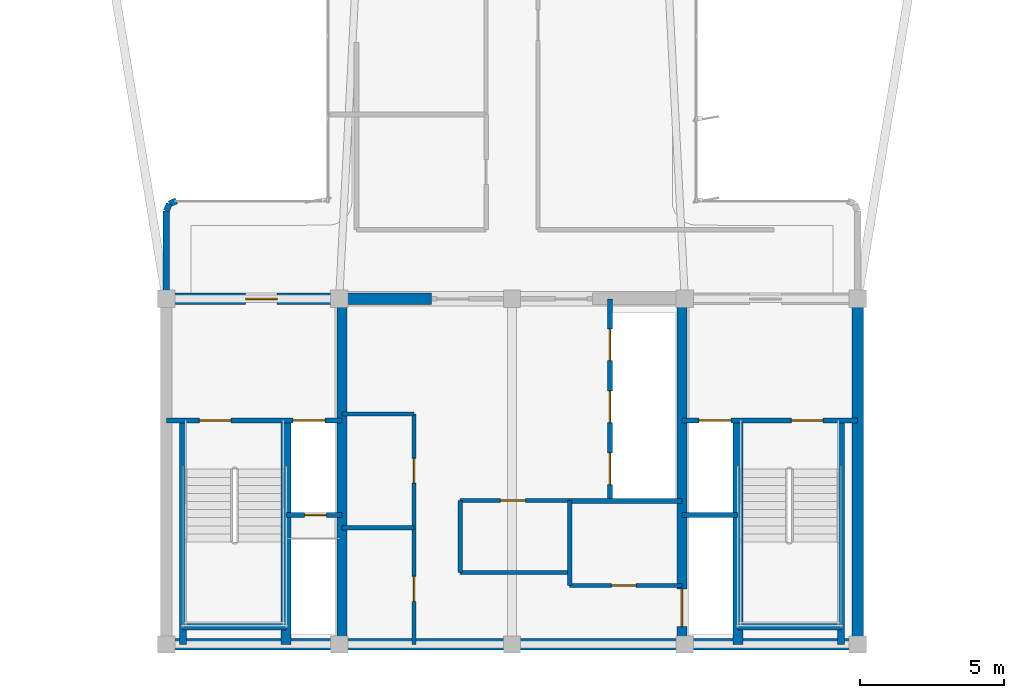
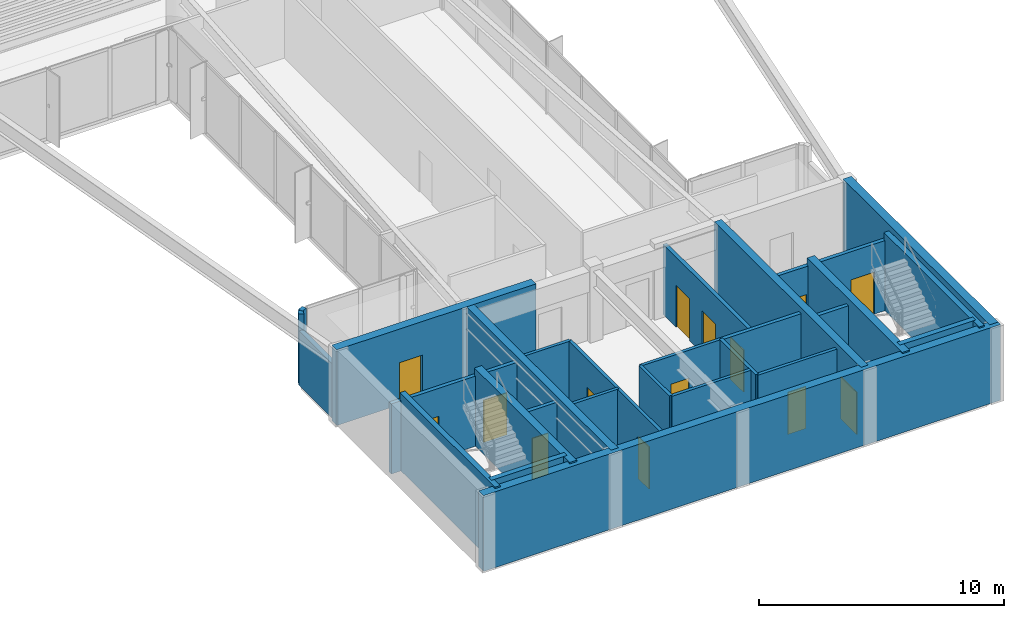
# One storey, part 10 of 15: 28 walls, 14 doors, 14 openings.
"""IFC4 building model written with IfcOpenShell, lengths in metres."""

from ifc_helpers import new_model, si_unit, direction, frame, frame_2d, origin, origin_2d, place, context, subcontext, project, spatial, rectangle, extrude, source, transform, mapped, material, layer, layer_set, type_object, element, fill, save


model = new_model("IFC4")

# Units and contexts
model_context = context("Model", 3, precision=1e-05, world=origin(), true_north=direction((0.0, 1.0)))
body_context = subcontext(model_context, "Body", "Model", "MODEL_VIEW")
ifc_project = project(units=[si_unit("LENGTHUNIT", "METRE"), si_unit("AREAUNIT", "SQUARE_METRE"), si_unit("VOLUMEUNIT", "CUBIC_METRE"), si_unit("PLANEANGLEUNIT", "RADIAN"), si_unit("MASSUNIT", "GRAM", prefix="KILO")], contexts=[model_context])

# Site, building, storey
site_placement = place(None, origin())
site = spatial("IfcSite", under=ifc_project, at=site_placement, CompositionType="ELEMENT")
building_placement = place(site_placement, origin())
building = spatial("IfcBuilding", under=site, at=building_placement, Name="Brelvock Crest Care Tower", CompositionType="ELEMENT")
storey_placement = place(building_placement, frame((0.0, 0.0, 279.719970703125)))
storey = spatial("IfcBuildingStorey", under=building, at=storey_placement, Name="L71", CompositionType="ELEMENT", Elevation=279.719970703125)

# Walls
ifc_material_1 = material(Name="Concrete S65 (65 MPa)", Category="concrete")
ifc_layer_1 = layer(ifc_material_1, 0.39990234375, Name="WL-CS4")
ifc_layer_set_1 = layer_set([ifc_layer_1], Name="Concrete S65 (65 MPa)")
wall_type_1 = type_object("IfcWallType", Name="WL-CS4", PredefinedType="SHEAR", material=ifc_layer_set_1)
wall_1_placement = place(storey_placement, frame((48.199951171875, 6.0, 0.0), z_axis=(0.0, 0.0, 1.0), x_axis=(-1.0, 0.0, 0.0)))
element("IfcWall", 1, at=wall_1_placement, inside=storey, type_object=wall_type_1, Name="L71 Core South Shear Wall", PredefinedType="SHEAR", context=body_context, shape_type="SweptSolid", body=[
    extrude(rectangle(XDim=24.39990234375, YDim=0.39990234375, at=frame_2d((12.199951171875, 0.0))), origin(), (0.0, 0.0, 1.0), 3.780029296875),
])
wall_2_placement = place(storey_placement, frame((48.0, 18.0, 0.0), z_axis=(0.0, 0.0, 1.0), x_axis=(0.0, -1.0, 0.0)))
element("IfcWall", 2, at=wall_2_placement, inside=storey, type_object=wall_type_1, Name="L71 Core East Shear Wall", PredefinedType="SHEAR", context=body_context, shape_type="SweptSolid", body=[
    extrude(rectangle(XDim=12.0, YDim=0.39990234375, at=frame_2d((6.0, 0.0))), origin(), (0.0, 0.0, 1.0), 3.780029296875),
])

# Wall, opening, door
wall_3_placement = place(storey_placement, frame((23.800048828125, 18.0, 0.0), z_axis=(0.0, 0.0, 1.0), x_axis=(1.0, 0.0, 0.0)))
wall_3 = element("IfcWall", 3, at=wall_3_placement, inside=storey, type_object=wall_type_1, Name="L71 Core North-West Shear Wall", PredefinedType="SHEAR", context=body_context, shape_type="SweptSolid", body=[
    extrude(rectangle(XDim=9.39990234375, YDim=0.39990234375, at=frame_2d((4.699951171875, 0.0))), origin(), (0.0, 0.0, 1.0), 3.780029296875),
])
opening_1_placement = place(wall_3_placement, frame((2.949951171875, 0.0, 0.0)))
opening_1 = element("IfcOpeningElement", 4, at=opening_1_placement, cuts=wall_3, Name="Opening FD-1", PredefinedType="OPENING", context=body_context, shape_type="SweptSolid", body=[
    extrude(rectangle(XDim=1.10009765625, YDim=2.10009765625, at=origin_2d()), frame((0.550048828125, 0.2099609375, 1.050048828125), z_axis=(0.0, -1.0, 0.0), x_axis=(1.0, 0.0, 0.0)), (0.0, 0.0, 1.0), 0.419921875),
])
ifc_material_2 = material(Name="Steel Grade 350", Category="steel")
door_type_1 = type_object("IfcDoorType", Name="DR-FFL1", OperationType="NOTDEFINED", PredefinedType="DOOR", material=ifc_material_2)
shared_shape_1 = source(origin(), body_context, "Body", "SweptSolid", [
    extrude(rectangle(XDim=1.10009765625, YDim=2.10009765625, at=origin_2d()), frame((0.550048828125, 0.02490234375, 1.050048828125), z_axis=(0.0, -1.0, 0.0), x_axis=(1.0, 0.0, 0.0)), (0.0, 0.0, 1.0), 0.050048828125),
])
door_1_placement = place(opening_1_placement, origin())
door_1 = element("IfcDoor", 5, at=door_1_placement, inside=storey, type_object=door_type_1, Name="L71 Firefighting Lobby FFL-1 Exit Door", OperationType="SINGLE_SWING_LEFT", OverallHeight=2.10009765625, OverallWidth=1.10009765625, PredefinedType="DOOR", context=body_context, shape_type="MappedRepresentation", body=[
    mapped(shared_shape_1, transform((0.0, 0.0, 0.0), x_axis=(1.0, 0.0, 0.0), y_axis=(0.0, 1.0, 0.0), z_axis=(0.0, 0.0, 1.0), scale=1.0)),
])
fill(opening_1, door_1)

# Wall
ifc_material_3 = material(Name="Concrete S80 (80 MPa)", Category="concrete")
ifc_layer_2 = layer(ifc_material_3, 0.35009765625, Name="WL-CS5")
ifc_layer_set_2 = layer_set([ifc_layer_2], Name="Concrete S80 (80 MPa)")
wall_type_2 = type_object("IfcWallType", Name="WL-CS5", PredefinedType="SHEAR", material=ifc_layer_set_2)
wall_4_placement = place(storey_placement, frame((30.10009765625, 6.0, 0.0), z_axis=(0.0, 0.0, 1.0), x_axis=(0.0, 1.0, 0.0)))
element("IfcWall", 6, at=wall_4_placement, inside=storey, type_object=wall_type_2, Name="L71 Core Internal Web Wall West", PredefinedType="SHEAR", context=body_context, shape_type="SweptSolid", body=[
    extrude(rectangle(XDim=12.0, YDim=0.35009765625, at=frame_2d((6.0, 0.0))), origin(), (0.0, 0.0, 1.0), 3.780029296875),
])

# Wall, opening, door
wall_5_placement = place(storey_placement, frame((41.89990234375, 18.0, 0.0), z_axis=(0.0, 0.0, 1.0), x_axis=(0.0, -1.0, 0.0)))
wall_5 = element("IfcWall", 7, at=wall_5_placement, inside=storey, type_object=wall_type_2, Name="L71 Core Internal Web Wall East", PredefinedType="SHEAR", context=body_context, shape_type="SweptSolid", body=[
    extrude(rectangle(XDim=12.0, YDim=0.35009765625, at=frame_2d((6.0, 0.0))), origin(), (0.0, 0.0, 1.0), 3.780029296875),
])
opening_2_placement = place(wall_5_placement, frame((10.080078125, 0.0, 0.0)))
opening_2 = element("IfcOpeningElement", 8, at=opening_2_placement, cuts=wall_5, Name="Opening LD-S", PredefinedType="OPENING", context=body_context, shape_type="SweptSolid", body=[
    extrude(rectangle(XDim=1.300048828125, YDim=2.10009765625, at=origin_2d()), frame((0.64990234375, 0.18505859375, 1.050048828125), z_axis=(0.0, -1.0, 0.0), x_axis=(1.0, 0.0, 0.0)), (0.0, 0.0, 1.0), 0.3701171875),
])
door_type_2 = type_object("IfcDoorType", Name="DR-LDS1", OperationType="NOTDEFINED", PredefinedType="DOOR", material=ifc_material_2)
shared_shape_2 = source(origin(), body_context, "Body", "SweptSolid", [
    extrude(rectangle(XDim=1.300048828125, YDim=2.10009765625, at=origin_2d()), frame((0.64990234375, 0.02490234375, 1.050048828125), z_axis=(0.0, -1.0, 0.0), x_axis=(1.0, 0.0, 0.0)), (0.0, 0.0, 1.0), 0.050048828125),
])
door_2_placement = place(opening_2_placement, origin())
door_2 = element("IfcDoor", 9, at=door_2_placement, inside=storey, type_object=door_type_2, Name="L71 Clinical Bed Lift SL-1 Landing Door", OperationType="SLIDING_TO_LEFT", OverallHeight=2.10009765625, OverallWidth=1.300048828125, PredefinedType="DOOR", context=body_context, shape_type="MappedRepresentation", body=[
    mapped(shared_shape_2, transform((0.0, 0.0, 0.0), x_axis=(1.0, 0.0, 0.0), y_axis=(0.0, 1.0, 0.0), z_axis=(0.0, 0.0, 1.0), scale=1.0)),
])
fill(opening_2, door_2)

# Walls
for number, where, z_axis, x_axis, name in (
    (10, (28.14990234375, 6.0, 0.0), (0.0, 0.0, 1.0), (0.0, 1.0, 0.0), "L71 Core Stair ST-1 East Shear Wall"),
    (11, (43.85009765625, 6.0, 0.0), (0.0, 0.0, 1.0), (0.0, 1.0, 0.0), "L71 Core Stair ST-2 West Shear Wall"),
):
    element("IfcWall", number, at=place(storey_placement, frame(where, z_axis=z_axis, x_axis=x_axis)), inside=storey, type_object=wall_type_2, Name=name, PredefinedType="SHEAR", context=body_context, shape_type="SweptSolid", body=[
        extrude(rectangle(XDim=7.780029296875, YDim=0.35009765625, at=frame_2d((3.89013671875, 0.0))), origin(), (0.0, 0.0, 1.0), 3.85009765625),
    ])
ifc_layer_3 = layer(ifc_material_3, 0.25, Name="WL-CS6")
ifc_layer_set_3 = layer_set([ifc_layer_3], Name="Concrete S80 (80 MPa)")
wall_type_3 = type_object("IfcWallType", Name="WL-CS6", PredefinedType="SHEAR", material=ifc_layer_set_3)
wall_6_placement = place(storey_placement, frame((24.580078125, 6.0, 0.0), z_axis=(0.0, 0.0, 1.0), x_axis=(0.0, 1.0, 0.0)))
element("IfcWall", 12, at=wall_6_placement, inside=storey, type_object=wall_type_3, Name="L71 Core Stair ST-1 West Shear Wall", PredefinedType="SHEAR", context=body_context, shape_type="SweptSolid", body=[
    extrude(rectangle(XDim=7.780029296875, YDim=0.25, at=frame_2d((3.89013671875, 0.0))), origin(), (0.0, 0.0, 1.0), 3.85009765625),
])
wall_7_placement = place(storey_placement, frame((24.580078125, 6.6201171875, 0.0), z_axis=(0.0, 0.0, 1.0), x_axis=(1.0, 0.0, 0.0)))
element("IfcWall", 13, at=wall_7_placement, inside=storey, type_object=wall_type_3, Name="L71 Core Stair ST-1 South Shear Wall", PredefinedType="SHEAR", context=body_context, shape_type="SweptSolid", body=[
    extrude(rectangle(XDim=3.56982421875, YDim=0.25, at=frame_2d((1.784912109375, 0.0))), origin(), (0.0, 0.0, 1.0), 3.85009765625),
])
wall_8_placement = place(storey_placement, frame((47.419921875, 6.0, 0.0), z_axis=(0.0, 0.0, 1.0), x_axis=(0.0, 1.0, 0.0)))
element("IfcWall", 14, at=wall_8_placement, inside=storey, type_object=wall_type_3, Name="L71 Core Stair ST-2 East Shear Wall", PredefinedType="SHEAR", context=body_context, shape_type="SweptSolid", body=[
    extrude(rectangle(XDim=7.780029296875, YDim=0.25, at=frame_2d((3.89013671875, 0.0))), origin(), (0.0, 0.0, 1.0), 3.85009765625),
])
wall_9_placement = place(storey_placement, frame((43.85009765625, 6.6201171875, 0.0), z_axis=(0.0, 0.0, 1.0), x_axis=(1.0, 0.0, 0.0)))
element("IfcWall", 15, at=wall_9_placement, inside=storey, type_object=wall_type_3, Name="L71 Core Stair ST-2 South Shear Wall", PredefinedType="SHEAR", context=body_context, shape_type="SweptSolid", body=[
    extrude(rectangle(XDim=3.56982421875, YDim=0.25, at=frame_2d((1.784912109375, 0.0))), origin(), (0.0, 0.0, 1.0), 3.85009765625),
])
ifc_material_4 = material(Name="Precast concrete N40 (40 MPa)", Category="concrete")
ifc_layer_4 = layer(ifc_material_4, 0.215087890625, Name="WL-EX2")
ifc_layer_set_4 = layer_set([ifc_layer_4], Name="Precast concrete N40 (40 MPa)")
wall_type_4 = type_object("IfcWallType", Name="WL-EX2", PredefinedType="SOLIDWALL", material=ifc_layer_set_4)
wall_10_placement = place(storey_placement, frame((24.0, 18.280029296875, 0.0), z_axis=(0.0, 0.0, 1.0), x_axis=(0.0, 1.0, 0.0)))
element("IfcWall", 16, at=wall_10_placement, inside=storey, type_object=wall_type_4, Name="L71 Rounded Corner Wall 07", PredefinedType="SOLIDWALL", context=body_context, shape_type="SweptSolid", body=[
    extrude(rectangle(XDim=2.77001953125, YDim=0.215087890625, at=frame_2d((1.385009765625, 0.0))), origin(), (0.0, 0.0, 1.0), 2.718017578125),
])
wall_11_placement = place(storey_placement, frame((24.0, 21.050048828125, 0.0), z_axis=(0.0, 0.0, 1.0), x_axis=(0.382673670509, 0.923883575944, 0.0)))
element("IfcWall", 17, at=wall_11_placement, inside=storey, type_object=wall_type_4, Name="L71 Rounded Corner Wall 08", PredefinedType="SOLIDWALL", context=body_context, shape_type="SweptSolid", body=[
    extrude(rectangle(XDim=0.26806640625, YDim=0.215087890625, at=frame_2d((0.134033203125, 0.0))), origin(), (0.0, 0.0, 1.0), 3.530029296875),
])
wall_12_placement = place(storey_placement, frame((24.1025390625, 21.297607421875, 0.0), z_axis=(0.0, 0.0, 1.0), x_axis=(0.924205486139, 0.381895560841, 0.0)))
element("IfcWall", 18, at=wall_12_placement, inside=storey, type_object=wall_type_4, Name="L71 Rounded Corner Wall 09", PredefinedType="SOLIDWALL", context=body_context, shape_type="SweptSolid", body=[
    extrude(rectangle(XDim=0.267822265625, YDim=0.215087890625, at=frame_2d((0.1337890625, 0.0))), origin(), (0.0, 0.0, 1.0), 3.530029296875),
])
ifc_material_5 = material(Name="Masonry Blockwork Acoustic Partition", Category="masonry")
ifc_layer_5 = layer(ifc_material_5, 0.14990234375, Name="WL-INT1")
ifc_layer_set_5 = layer_set([ifc_layer_5], Name="Masonry Blockwork Acoustic Partition")
wall_type_5 = type_object("IfcWallType", Name="WL-INT1", PredefinedType="PARTITIONING", material=ifc_layer_set_5)
wall_13_placement = place(storey_placement, frame((30.10009765625, 14.0, 0.0), z_axis=(0.0, 0.0, 1.0), x_axis=(1.0, 0.0, 0.0)))
element("IfcWall", 19, at=wall_13_placement, inside=storey, type_object=wall_type_5, Name="L71 Interior Wall WL-CRCL-N1-L71", PredefinedType="PARTITIONING", context=body_context, shape_type="SweptSolid", body=[
    extrude(rectangle(XDim=2.5, YDim=0.14990234375, at=frame_2d((1.25, 0.0))), origin(), (0.0, 0.0, 1.0), 3.5),
])
wall_14_placement = place(storey_placement, frame((34.199951171875, 8.5, 0.0), z_axis=(0.0, 0.0, 1.0), x_axis=(1.0, 0.0, 0.0)))
element("IfcWall", 20, at=wall_14_placement, inside=storey, type_object=wall_type_5, Name="L71 Interior Wall WL-CRCM-SW-L71", PredefinedType="PARTITIONING", context=body_context, shape_type="SweptSolid", body=[
    extrude(rectangle(XDim=3.800048828125, YDim=0.14990234375, at=frame_2d((1.89990234375, 0.0))), origin(), (0.0, 0.0, 1.0), 3.5),
])

# Wall, opening, door
wall_15_placement = place(storey_placement, frame((38.0, 8.050048828125, 0.0), z_axis=(0.0, 0.0, 1.0), x_axis=(1.0, 0.0, 0.0)))
wall_15 = element("IfcWall", 21, at=wall_15_placement, inside=storey, type_object=wall_type_5, Name="L71 Interior Wall WL-CRCM-SE-L71", PredefinedType="PARTITIONING", context=body_context, shape_type="SweptSolid", body=[
    extrude(rectangle(XDim=3.89990234375, YDim=0.14990234375, at=frame_2d((1.949951171875, 0.0))), origin(), (0.0, 0.0, 1.0), 3.5),
])
opening_3_placement = place(wall_15_placement, frame((1.449951171875, 0.0, 0.0)))
opening_3 = element("IfcOpeningElement", 22, at=opening_3_placement, cuts=wall_15, Name="Opening ID-1", PredefinedType="OPENING", context=body_context, shape_type="SweptSolid", body=[
    extrude(rectangle(XDim=0.860107421875, YDim=2.10009765625, at=origin_2d()), frame((0.43017578125, 0.0849609375, 1.050048828125), z_axis=(0.0, -1.0, 0.0), x_axis=(1.0, 0.0, 0.0)), (0.0, 0.0, 1.0), 0.169921875),
])
ifc_material_6 = material(Name="Engineered Hardwood Timber", Category="wood")
door_type_3 = type_object("IfcDoorType", Name="DR-INT1", OperationType="NOTDEFINED", PredefinedType="DOOR", material=ifc_material_6)
shared_shape_3 = source(origin(), body_context, "Body", "SweptSolid", [
    extrude(rectangle(XDim=0.860107421875, YDim=2.10009765625, at=origin_2d()), frame((0.43017578125, 0.02490234375, 1.050048828125), z_axis=(0.0, -1.0, 0.0), x_axis=(1.0, 0.0, 0.0)), (0.0, 0.0, 1.0), 0.050048828125),
])
door_3_placement = place(opening_3_placement, origin())
door_3 = element("IfcDoor", 23, at=door_3_placement, inside=storey, type_object=door_type_3, Name="DR-CRCM2-L71", OperationType="SINGLE_SWING_LEFT", OverallHeight=2.10009765625, OverallWidth=0.860107421875, PredefinedType="DOOR", context=body_context, shape_type="MappedRepresentation", body=[
    mapped(shared_shape_3, transform((0.0, 0.0, 0.0), x_axis=(1.0, 0.0, 0.0), y_axis=(0.0, 1.0, 0.0), z_axis=(0.0, 0.0, 1.0), scale=1.0)),
])
fill(opening_3, door_3)

# Walls
wall_16_placement = place(storey_placement, frame((34.199951171875, 8.5, 0.0), z_axis=(0.0, 0.0, 1.0), x_axis=(0.0, 1.0, 0.0)))
element("IfcWall", 24, at=wall_16_placement, inside=storey, type_object=wall_type_5, Name="L71 Interior Wall WL-CRCM-W-L71", PredefinedType="PARTITIONING", context=body_context, shape_type="SweptSolid", body=[
    extrude(rectangle(XDim=2.5, YDim=0.14990234375, at=frame_2d((1.25, 0.0))), origin(), (0.0, 0.0, 1.0), 3.5),
])
wall_17_placement = place(storey_placement, frame((38.0, 8.050048828125, 0.0), z_axis=(0.0, 0.0, 1.0), x_axis=(0.0, 1.0, 0.0)))
element("IfcWall", 25, at=wall_17_placement, inside=storey, type_object=wall_type_5, Name="L71 Interior Wall WL-CRCM-V-L71", PredefinedType="PARTITIONING", context=body_context, shape_type="SweptSolid", body=[
    extrude(rectangle(XDim=2.949951171875, YDim=0.14990234375, at=frame_2d((1.47509765625, 0.0))), origin(), (0.0, 0.0, 1.0), 3.5),
])

# Wall, opening, door
wall_18_placement = place(storey_placement, frame((34.199951171875, 11.0, 0.0), z_axis=(0.0, 0.0, 1.0), x_axis=(1.0, 0.0, 0.0)))
wall_18 = element("IfcWall", 26, at=wall_18_placement, inside=storey, type_object=wall_type_5, Name="L71 Interior Wall WL-CRCM-NW-L71", PredefinedType="PARTITIONING", context=body_context, shape_type="SweptSolid", body=[
    extrude(rectangle(XDim=3.800048828125, YDim=0.14990234375, at=frame_2d((1.89990234375, 0.0))), origin(), (0.0, 0.0, 1.0), 3.5),
])
opening_4_placement = place(wall_18_placement, frame((1.39990234375, 0.0, 0.0)))
opening_4 = element("IfcOpeningElement", 27, at=opening_4_placement, cuts=wall_18, Name="Opening ID-1", PredefinedType="OPENING", context=body_context, shape_type="SweptSolid", body=[
    extrude(rectangle(XDim=0.860107421875, YDim=2.10009765625, at=origin_2d()), frame((0.43017578125, 0.0849609375, 1.050048828125), z_axis=(0.0, -1.0, 0.0), x_axis=(1.0, 0.0, 0.0)), (0.0, 0.0, 1.0), 0.169921875),
])
door_4_placement = place(opening_4_placement, origin())
door_4 = element("IfcDoor", 28, at=door_4_placement, inside=storey, type_object=door_type_3, Name="DR-CRCM1-L71", OperationType="SINGLE_SWING_LEFT", OverallHeight=2.10009765625, OverallWidth=0.860107421875, PredefinedType="DOOR", context=body_context, shape_type="MappedRepresentation", body=[
    mapped(shared_shape_3, transform((0.0, 0.0, 0.0), x_axis=(1.0, 0.0, 0.0), y_axis=(0.0, 1.0, 0.0), z_axis=(0.0, 0.0, 1.0), scale=1.0)),
])
fill(opening_4, door_4)

# Wall
wall_19_placement = place(storey_placement, frame((30.10009765625, 10.050048828125, 0.0), z_axis=(0.0, 0.0, 1.0), x_axis=(1.0, 0.0, 0.0)))
element("IfcWall", 29, at=wall_19_placement, inside=storey, type_object=wall_type_5, Name="L71 Interior Wall WL-CSBW-S1-L71", PredefinedType="PARTITIONING", context=body_context, shape_type="SweptSolid", body=[
    extrude(rectangle(XDim=2.5, YDim=0.14990234375, at=frame_2d((1.25, 0.0))), origin(), (0.0, 0.0, 1.0), 3.5),
])

# Wall, openings, doors
wall_20_placement = place(storey_placement, frame((32.60009765625, 6.0, 0.0), z_axis=(0.0, 0.0, 1.0), x_axis=(0.0, 1.0, 0.0)))
wall_20 = element("IfcWall", 30, at=wall_20_placement, inside=storey, type_object=wall_type_5, Name="L71 Interior Wall WL-CRCL-E-L71", PredefinedType="PARTITIONING", context=body_context, shape_type="SweptSolid", body=[
    extrude(rectangle(XDim=8.0, YDim=0.14990234375, at=frame_2d((4.0, 0.0))), origin(), (0.0, 0.0, 1.0), 3.5),
])
opening_5_placement = place(wall_20_placement, frame((1.5, 0.0, 0.0)))
opening_5 = element("IfcOpeningElement", 31, at=opening_5_placement, cuts=wall_20, Name="Opening ID-1", PredefinedType="OPENING", context=body_context, shape_type="SweptSolid", body=[
    extrude(rectangle(XDim=0.860107421875, YDim=2.10009765625, at=origin_2d()), frame((0.43017578125, 0.0849609375, 1.050048828125), z_axis=(0.0, -1.0, 0.0), x_axis=(1.0, 0.0, 0.0)), (0.0, 0.0, 1.0), 0.169921875),
])
opening_6_placement = place(wall_20_placement, frame((5.60009765625, 0.0, 0.0)))
opening_6 = element("IfcOpeningElement", 32, at=opening_6_placement, cuts=wall_20, Name="Opening ID-1", PredefinedType="OPENING", context=body_context, shape_type="SweptSolid", body=[
    extrude(rectangle(XDim=0.860107421875, YDim=2.10009765625, at=origin_2d()), frame((0.43017578125, 0.0849609375, 1.050048828125), z_axis=(0.0, -1.0, 0.0), x_axis=(1.0, 0.0, 0.0)), (0.0, 0.0, 1.0), 0.169921875),
])
door_5_placement = place(opening_5_placement, origin())
door_5 = element("IfcDoor", 33, at=door_5_placement, inside=storey, type_object=door_type_3, Name="DR-CSBW-L71", OperationType="SINGLE_SWING_LEFT", OverallHeight=2.10009765625, OverallWidth=0.860107421875, PredefinedType="DOOR", context=body_context, shape_type="MappedRepresentation", body=[
    mapped(shared_shape_3, transform((0.0, 0.0, 0.0), x_axis=(1.0, 0.0, 0.0), y_axis=(0.0, 1.0, 0.0), z_axis=(0.0, 0.0, 1.0), scale=1.0)),
])
fill(opening_5, door_5)
door_6_placement = place(opening_6_placement, origin())
door_6 = element("IfcDoor", 34, at=door_6_placement, inside=storey, type_object=door_type_3, Name="DR-CRCL1-L71", OperationType="SINGLE_SWING_LEFT", OverallHeight=2.10009765625, OverallWidth=0.860107421875, PredefinedType="DOOR", context=body_context, shape_type="MappedRepresentation", body=[
    mapped(shared_shape_3, transform((0.0, 0.0, 0.0), x_axis=(1.0, 0.0, 0.0), y_axis=(0.0, 1.0, 0.0), z_axis=(0.0, 0.0, 1.0), scale=1.0)),
])
fill(opening_6, door_6)

# Wall
ifc_layer_6 = layer(ifc_material_5, 0.179931640625, Name="WL-SHF1")
ifc_layer_set_6 = layer_set([ifc_layer_6], Name="Masonry Blockwork Acoustic Partition")
wall_type_6 = type_object("IfcWallType", Name="WL-SHF1", PredefinedType="PARTITIONING", material=ifc_layer_set_6)
wall_21_placement = place(storey_placement, frame((38.0, 10.97998046875, 0.0), z_axis=(0.0, 0.0, 1.0), x_axis=(1.0, 0.0, 0.0)))
element("IfcWall", 35, at=wall_21_placement, inside=storey, type_object=wall_type_6, Name="L71 Interior Wall WL-CRCM-NE-L71", PredefinedType="PARTITIONING", context=body_context, shape_type="SweptSolid", body=[
    extrude(rectangle(XDim=3.89990234375, YDim=0.179931640625, at=frame_2d((1.949951171875, 0.0))), origin(), (0.0, 0.0, 1.0), 3.5),
])

# Wall, openings, doors
wall_22_placement = place(storey_placement, frame((24.0, 13.780029296875, 0.0), z_axis=(0.0, 0.0, 1.0), x_axis=(1.0, 0.0, 0.0)))
wall_22 = element("IfcWall", 36, at=wall_22_placement, inside=storey, type_object=wall_type_6, Name="L71 Interior Wall WL-ST1-N-L71", PredefinedType="PARTITIONING", context=body_context, shape_type="SweptSolid", body=[
    extrude(rectangle(XDim=6.10009765625, YDim=0.179931640625, at=frame_2d((3.050048828125, 0.0))), origin(), (0.0, 0.0, 1.0), 3.5),
])
opening_7_placement = place(wall_22_placement, frame((1.14990234375, 0.0, 0.0)))
opening_7 = element("IfcOpeningElement", 37, at=opening_7_placement, cuts=wall_22, Name="Opening SD-1", PredefinedType="OPENING", context=body_context, shape_type="SweptSolid", body=[
    extrude(rectangle(XDim=1.10009765625, YDim=2.10009765625, at=origin_2d()), frame((0.550048828125, 0.10009765625, 1.050048828125), z_axis=(0.0, -1.0, 0.0), x_axis=(1.0, 0.0, 0.0)), (0.0, 0.0, 1.0), 0.199951171875),
])
opening_8_placement = place(wall_22_placement, frame((4.39990234375, 0.0, 0.0)))
opening_8 = element("IfcOpeningElement", 38, at=opening_8_placement, cuts=wall_22, Name="Opening LD", PredefinedType="OPENING", context=body_context, shape_type="SweptSolid", body=[
    extrude(rectangle(XDim=1.10009765625, YDim=2.10009765625, at=origin_2d()), frame((0.550048828125, 0.10009765625, 1.050048828125), z_axis=(0.0, -1.0, 0.0), x_axis=(1.0, 0.0, 0.0)), (0.0, 0.0, 1.0), 0.199951171875),
])
door_type_4 = type_object("IfcDoorType", Name="DR-ST1", OperationType="NOTDEFINED", PredefinedType="DOOR", material=ifc_material_2)
shared_shape_4 = source(origin(), body_context, "Body", "SweptSolid", [
    extrude(rectangle(XDim=1.10009765625, YDim=2.10009765625, at=origin_2d()), frame((0.550048828125, 0.02490234375, 1.050048828125), z_axis=(0.0, -1.0, 0.0), x_axis=(1.0, 0.0, 0.0)), (0.0, 0.0, 1.0), 0.050048828125),
])
door_7_placement = place(opening_7_placement, origin())
door_7 = element("IfcDoor", 39, at=door_7_placement, inside=storey, type_object=door_type_4, Name="L71 Fire Stair ST-1 Door", OperationType="SINGLE_SWING_LEFT", OverallHeight=2.10009765625, OverallWidth=1.10009765625, PredefinedType="DOOR", context=body_context, shape_type="MappedRepresentation", body=[
    mapped(shared_shape_4, transform((0.0, 0.0, 0.0), x_axis=(1.0, 0.0, 0.0), y_axis=(0.0, 1.0, 0.0), z_axis=(0.0, 0.0, 1.0), scale=1.0)),
])
fill(opening_7, door_7)
door_type_5 = type_object("IfcDoorType", Name="DR-LD1", OperationType="NOTDEFINED", PredefinedType="DOOR", material=ifc_material_2)
shared_shape_5 = source(origin(), body_context, "Body", "SweptSolid", [
    extrude(rectangle(XDim=1.10009765625, YDim=2.10009765625, at=origin_2d()), frame((0.550048828125, 0.02490234375, 1.050048828125), z_axis=(0.0, -1.0, 0.0), x_axis=(1.0, 0.0, 0.0)), (0.0, 0.0, 1.0), 0.050048828125),
])
door_8_placement = place(opening_8_placement, origin())
door_8 = element("IfcDoor", 40, at=door_8_placement, inside=storey, type_object=door_type_5, Name="L71 Firefighting Lift FFL-1 Landing Door", OperationType="SLIDING_TO_LEFT", OverallHeight=2.10009765625, OverallWidth=1.10009765625, PredefinedType="DOOR", context=body_context, shape_type="MappedRepresentation", body=[
    mapped(shared_shape_5, transform((0.0, 0.0, 0.0), x_axis=(1.0, 0.0, 0.0), y_axis=(0.0, 1.0, 0.0), z_axis=(0.0, 0.0, 1.0), scale=1.0)),
])
fill(opening_8, door_8)

# Wall, opening, door
wall_23_placement = place(storey_placement, frame((28.14990234375, 10.5, 0.0), z_axis=(0.0, 0.0, 1.0), x_axis=(1.0, 0.0, 0.0)))
wall_23 = element("IfcWall", 41, at=wall_23_placement, inside=storey, type_object=wall_type_6, Name="L71 Interior Wall WL-FFH1-S-L71", PredefinedType="PARTITIONING", context=body_context, shape_type="SweptSolid", body=[
    extrude(rectangle(XDim=1.9501953125, YDim=0.179931640625, at=frame_2d((0.97509765625, 0.0))), origin(), (0.0, 0.0, 1.0), 3.5),
])
opening_9_placement = place(wall_23_placement, frame((0.64990234375, 0.0, 0.0)))
opening_9 = element("IfcOpeningElement", 42, at=opening_9_placement, cuts=wall_23, Name="Opening RD-1", PredefinedType="OPENING", context=body_context, shape_type="SweptSolid", body=[
    extrude(rectangle(XDim=0.760009765625, YDim=2.050048828125, at=origin_2d()), frame((0.3798828125, 0.10009765625, 1.02490234375), z_axis=(0.0, -1.0, 0.0), x_axis=(1.0, 0.0, 0.0)), (0.0, 0.0, 1.0), 0.199951171875),
])
door_type_6 = type_object("IfcDoorType", Name="DR-RIS1", OperationType="NOTDEFINED", PredefinedType="DOOR", material=ifc_material_2)
shared_shape_6 = source(origin(), body_context, "Body", "SweptSolid", [
    extrude(rectangle(XDim=0.760009765625, YDim=2.050048828125, at=origin_2d()), frame((0.3798828125, 0.02490234375, 1.02490234375), z_axis=(0.0, -1.0, 0.0), x_axis=(1.0, 0.0, 0.0)), (0.0, 0.0, 1.0), 0.050048828125),
])
door_9_placement = place(opening_9_placement, origin())
door_9 = element("IfcDoor", 43, at=door_9_placement, inside=storey, type_object=door_type_6, Name="L71 Wet Fire Riser Access Door", OperationType="SINGLE_SWING_LEFT", OverallHeight=2.050048828125, OverallWidth=0.760009765625, PredefinedType="DOOR", context=body_context, shape_type="MappedRepresentation", body=[
    mapped(shared_shape_6, transform((0.0, 0.0, 0.0), x_axis=(1.0, 0.0, 0.0), y_axis=(0.0, 1.0, 0.0), z_axis=(0.0, 0.0, 1.0), scale=1.0)),
])
fill(opening_9, door_9)

# Wall, openings, doors
wall_24_placement = place(storey_placement, frame((41.89990234375, 13.780029296875, 0.0), z_axis=(0.0, 0.0, 1.0), x_axis=(1.0, 0.0, 0.0)))
wall_24 = element("IfcWall", 44, at=wall_24_placement, inside=storey, type_object=wall_type_6, Name="L71 Interior Wall WL-ST2-N-L71", PredefinedType="PARTITIONING", context=body_context, shape_type="SweptSolid", body=[
    extrude(rectangle(XDim=6.10009765625, YDim=0.179931640625, at=frame_2d((3.050048828125, 0.0))), origin(), (0.0, 0.0, 1.0), 3.5),
])
opening_10_placement = place(wall_24_placement, frame((0.60009765625, 0.0, 0.0)))
opening_10 = element("IfcOpeningElement", 45, at=opening_10_placement, cuts=wall_24, Name="Opening LD", PredefinedType="OPENING", context=body_context, shape_type="SweptSolid", body=[
    extrude(rectangle(XDim=1.10009765625, YDim=2.10009765625, at=origin_2d()), frame((0.550048828125, 0.10009765625, 1.050048828125), z_axis=(0.0, -1.0, 0.0), x_axis=(1.0, 0.0, 0.0)), (0.0, 0.0, 1.0), 0.199951171875),
])
opening_11_placement = place(wall_24_placement, frame((3.800048828125, 0.0, 0.0)))
opening_11 = element("IfcOpeningElement", 46, at=opening_11_placement, cuts=wall_24, Name="Opening SD-1", PredefinedType="OPENING", context=body_context, shape_type="SweptSolid", body=[
    extrude(rectangle(XDim=1.10009765625, YDim=2.10009765625, at=origin_2d()), frame((0.550048828125, 0.10009765625, 1.050048828125), z_axis=(0.0, -1.0, 0.0), x_axis=(1.0, 0.0, 0.0)), (0.0, 0.0, 1.0), 0.199951171875),
])
door_10_placement = place(opening_11_placement, origin())
door_10 = element("IfcDoor", 47, at=door_10_placement, inside=storey, type_object=door_type_4, Name="L71 Fire Stair ST-2 Door", OperationType="SINGLE_SWING_RIGHT", OverallHeight=2.10009765625, OverallWidth=1.10009765625, PredefinedType="DOOR", context=body_context, shape_type="MappedRepresentation", body=[
    mapped(shared_shape_4, transform((0.0, 0.0, 0.0), x_axis=(1.0, 0.0, 0.0), y_axis=(0.0, 1.0, 0.0), z_axis=(0.0, 0.0, 1.0), scale=1.0)),
])
fill(opening_11, door_10)
door_11_placement = place(opening_10_placement, origin())
door_11 = element("IfcDoor", 48, at=door_11_placement, inside=storey, type_object=door_type_5, Name="L71 Firefighting Lift FFL-2 Landing Door", OperationType="SLIDING_TO_RIGHT", OverallHeight=2.10009765625, OverallWidth=1.10009765625, PredefinedType="DOOR", context=body_context, shape_type="MappedRepresentation", body=[
    mapped(shared_shape_5, transform((0.0, 0.0, 0.0), x_axis=(1.0, 0.0, 0.0), y_axis=(0.0, 1.0, 0.0), z_axis=(0.0, 0.0, 1.0), scale=1.0)),
])
fill(opening_10, door_11)

# Wall
wall_25_placement = place(storey_placement, frame((41.89990234375, 10.5, 0.0), z_axis=(0.0, 0.0, 1.0), x_axis=(1.0, 0.0, 0.0)))
element("IfcWall", 49, at=wall_25_placement, inside=storey, type_object=wall_type_6, Name="L71 Interior Wall WL-FFH2-S-L71", PredefinedType="PARTITIONING", context=body_context, shape_type="SweptSolid", body=[
    extrude(rectangle(XDim=1.9501953125, YDim=0.179931640625, at=frame_2d((0.97509765625, 0.0))), origin(), (0.0, 0.0, 1.0), 3.5),
])

# Wall, openings, doors
wall_26_placement = place(storey_placement, frame((39.39990234375, 11.0, 0.0), z_axis=(0.0, 0.0, 1.0), x_axis=(0.0, 1.0, 0.0)))
wall_26 = element("IfcWall", 50, at=wall_26_placement, inside=storey, type_object=wall_type_6, Name="L71 Interior Wall WL-PLH-BANK-L71", PredefinedType="PARTITIONING", context=body_context, shape_type="SweptSolid", body=[
    extrude(rectangle(XDim=7.0, YDim=0.179931640625, at=frame_2d((3.5, 0.0))), origin(), (0.0, 0.0, 1.0), 3.5),
])
opening_12_placement = place(wall_26_placement, frame((0.550048828125, 0.0, 0.0)))
opening_12 = element("IfcOpeningElement", 51, at=opening_12_placement, cuts=wall_26, Name="Opening LD", PredefinedType="OPENING", context=body_context, shape_type="SweptSolid", body=[
    extrude(rectangle(XDim=1.10009765625, YDim=2.10009765625, at=origin_2d()), frame((0.550048828125, 0.10009765625, 1.050048828125), z_axis=(0.0, -1.0, 0.0), x_axis=(1.0, 0.0, 0.0)), (0.0, 0.0, 1.0), 0.199951171875),
])
opening_13_placement = place(wall_26_placement, frame((2.699951171875, 0.0, 0.0)))
opening_13 = element("IfcOpeningElement", 52, at=opening_13_placement, cuts=wall_26, Name="Opening LD", PredefinedType="OPENING", context=body_context, shape_type="SweptSolid", body=[
    extrude(rectangle(XDim=1.10009765625, YDim=2.10009765625, at=origin_2d()), frame((0.550048828125, 0.10009765625, 1.050048828125), z_axis=(0.0, -1.0, 0.0), x_axis=(1.0, 0.0, 0.0)), (0.0, 0.0, 1.0), 0.199951171875),
])
opening_14_placement = place(wall_26_placement, frame((4.85009765625, 0.0, 0.0)))
opening_14 = element("IfcOpeningElement", 53, at=opening_14_placement, cuts=wall_26, Name="Opening LD", PredefinedType="OPENING", context=body_context, shape_type="SweptSolid", body=[
    extrude(rectangle(XDim=1.10009765625, YDim=2.10009765625, at=origin_2d()), frame((0.550048828125, 0.10009765625, 1.050048828125), z_axis=(0.0, -1.0, 0.0), x_axis=(1.0, 0.0, 0.0)), (0.0, 0.0, 1.0), 0.199951171875),
])
door_12_placement = place(opening_12_placement, origin())
door_12 = element("IfcDoor", 54, at=door_12_placement, inside=storey, type_object=door_type_5, Name="L71 Lift PL-H1 Landing Door", OperationType="SLIDING_TO_RIGHT", OverallHeight=2.10009765625, OverallWidth=1.10009765625, PredefinedType="DOOR", context=body_context, shape_type="MappedRepresentation", body=[
    mapped(shared_shape_5, transform((0.0, 0.0, 0.0), x_axis=(1.0, 0.0, 0.0), y_axis=(0.0, 1.0, 0.0), z_axis=(0.0, 0.0, 1.0), scale=1.0)),
])
fill(opening_12, door_12)
door_13_placement = place(opening_13_placement, origin())
door_13 = element("IfcDoor", 55, at=door_13_placement, inside=storey, type_object=door_type_5, Name="L71 Lift PL-H2 Landing Door", OperationType="SLIDING_TO_RIGHT", OverallHeight=2.10009765625, OverallWidth=1.10009765625, PredefinedType="DOOR", context=body_context, shape_type="MappedRepresentation", body=[
    mapped(shared_shape_5, transform((0.0, 0.0, 0.0), x_axis=(1.0, 0.0, 0.0), y_axis=(0.0, 1.0, 0.0), z_axis=(0.0, 0.0, 1.0), scale=1.0)),
])
fill(opening_13, door_13)
door_14_placement = place(opening_14_placement, origin())
door_14 = element("IfcDoor", 56, at=door_14_placement, inside=storey, type_object=door_type_5, Name="L71 Lift PL-H3 Landing Door", OperationType="SLIDING_TO_RIGHT", OverallHeight=2.10009765625, OverallWidth=1.10009765625, PredefinedType="DOOR", context=body_context, shape_type="MappedRepresentation", body=[
    mapped(shared_shape_5, transform((0.0, 0.0, 0.0), x_axis=(1.0, 0.0, 0.0), y_axis=(0.0, 1.0, 0.0), z_axis=(0.0, 0.0, 1.0), scale=1.0)),
])
fill(opening_14, door_14)

save(model, "model.ifc")
